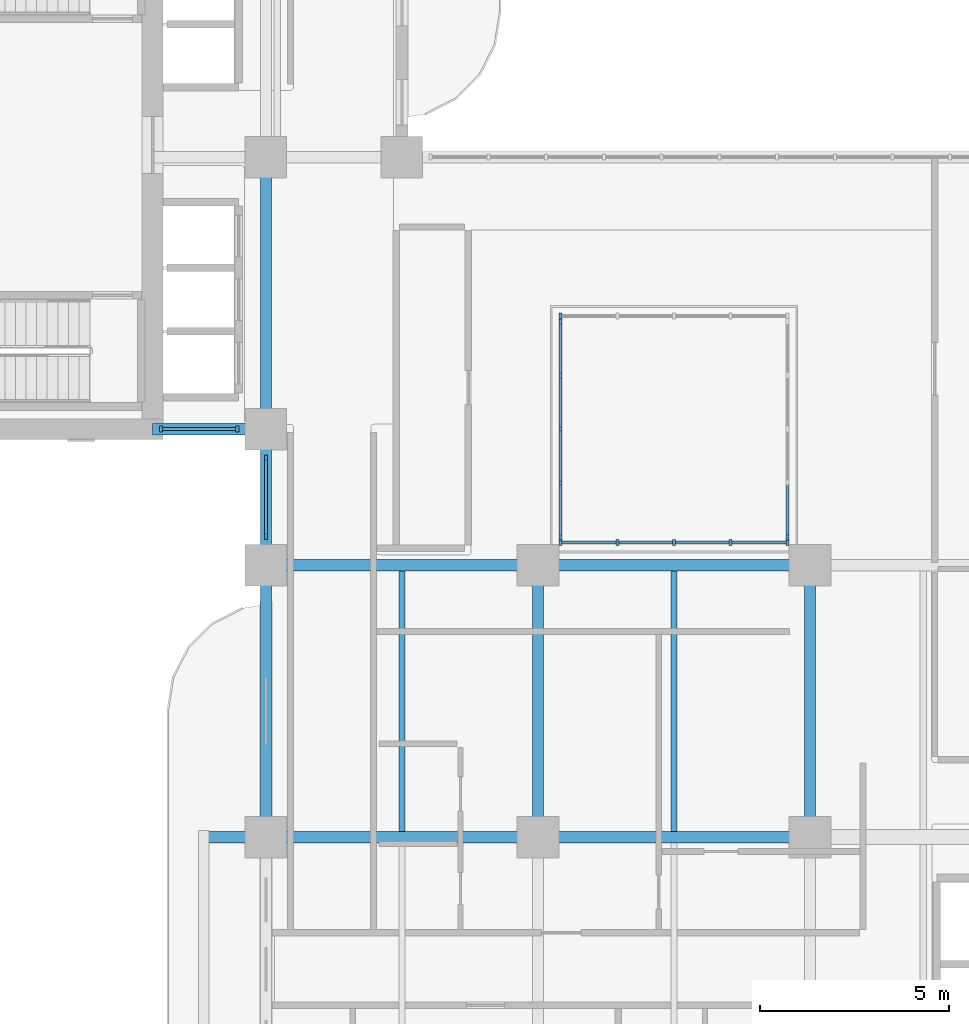
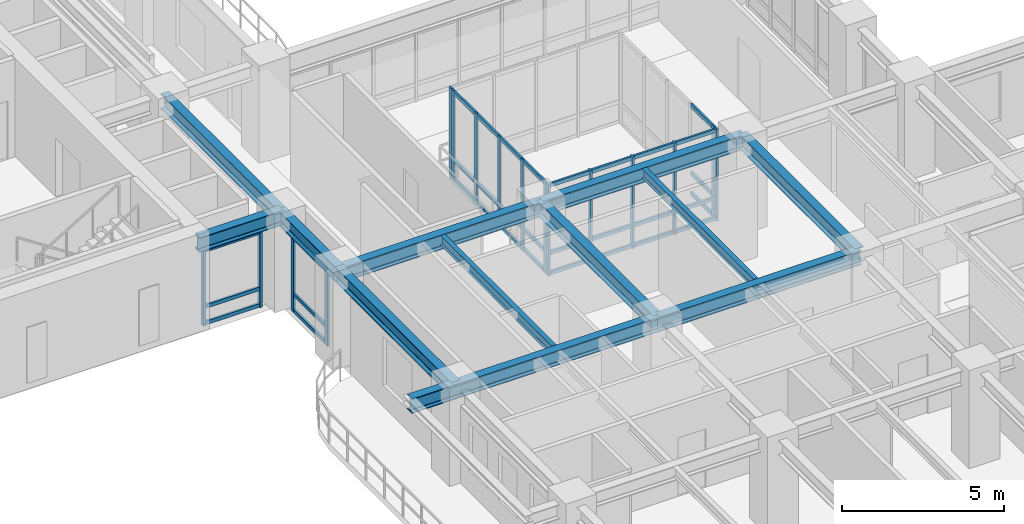
# One storey, part 2 of 22: 49 members, 12 beams, 6 elements without a shape of their own.
"""IFC4 building model written with IfcOpenShell, lengths in metres."""

from ifc_helpers import new_model, si_unit, derived_unit, direction, frame, origin, origin_2d, place, context, subcontext, project, spatial, rectangle, i_section, extrude, source, transform, mapped, material, layer, layer_set, material_profile, profile_set, type_object, type_shapes, element, aggregate, save


model = new_model("IFC4")

# Units and contexts
model_context = context("Model", 3, precision=1e-05, world=origin(), true_north=direction((0.0, 1.0)))
body_context = subcontext(model_context, "Body", "Model", "MODEL_VIEW")
ifc_project = project(units=[si_unit("LENGTHUNIT", "METRE"), si_unit("AREAUNIT", "SQUARE_METRE"), si_unit("VOLUMEUNIT", "CUBIC_METRE"), si_unit("PLANEANGLEUNIT", "RADIAN"), si_unit("MASSUNIT", "GRAM", prefix="KILO"), si_unit("THERMODYNAMICTEMPERATUREUNIT", "KELVIN"), si_unit("POWERUNIT", "WATT"), derived_unit("THERMALTRANSMITTANCEUNIT", [(si_unit("POWERUNIT", "WATT"), 1), (si_unit("AREAUNIT", "SQUARE_METRE"), -1), (si_unit("THERMODYNAMICTEMPERATUREUNIT", "KELVIN"), -1)])], contexts=[model_context])

# Site, building, storey
site_placement = place(None, origin())
site = spatial("IfcSite", under=ifc_project, at=site_placement, CompositionType="ELEMENT")
building_placement = place(site_placement, origin())
building = spatial("IfcBuilding", under=site, at=building_placement, Name="Zahravan Archway Hotel and Residences", CompositionType="ELEMENT")
storey_placement = place(building_placement, frame((0.0, 0.0, 84.199951171875)))
storey = spatial("IfcBuildingStorey", under=building, at=storey_placement, Name="L20", CompositionType="ELEMENT", Elevation=84.199951171875)

# Beams
ifc_material_1 = material(Name="Structural Steel S355JR", Category="steel")
ifc_material_profile_1 = material_profile(ifc_material_1, i_section(OverallWidth=0.300048828125, OverallDepth=0.550048828125, WebThickness=0.014892578125, FlangeThickness=0.029052734375, FilletRadius=0.027099609375, at=origin_2d()), Name="HEB 550", Category="steel")
ifc_profile_set_1 = profile_set([ifc_material_profile_1], Name="Structural Steel S355JR")
beam_type_1 = type_object("IfcBeamType", Name="BM-PRI-HEB550", PredefinedType="BEAM", material=ifc_profile_set_1)
shared_shape_1 = source(origin(), body_context, "Body", "SweptSolid", [
    extrude(i_section(OverallWidth=0.300048828125, OverallDepth=0.550048828125, WebThickness=0.014892578125, FlangeThickness=0.029052734375, FilletRadius=0.027099609375, at=origin_2d()), origin(), (0.0, 0.0, 1.0), 7.2001953125),
])
type_shapes(beam_type_1, [shared_shape_1])
for number, where, z_axis, x_axis, name in (
    (1, (14.39990234375, 21.60009765625, 3.175048828125), (1.0, 0.0, 0.0), (0.0, 1.0, 0.0), "L20 Primary Girder EW-14"),
    (2, (14.39990234375, 14.39990234375, 3.175048828125), (0.0, 1.0, 0.0), (-1.0, 0.0, 0.0), "L20 Primary Girder NS-34"),
    (3, (21.60009765625, 14.39990234375, 3.175048828125), (0.0, 1.0, 0.0), (-1.0, 0.0, 0.0), "L20 Primary Girder NS-41"),
    (4, (28.800048828125, 14.39990234375, 3.175048828125), (0.0, 1.0, 0.0), (-1.0, 0.0, 0.0), "L20 Primary Girder NS-44"),
):
    element("IfcBeam", number, at=place(storey_placement, frame(where, z_axis=z_axis, x_axis=x_axis)), inside=storey, type_object=beam_type_1, Name=name, PredefinedType="BEAM", context=body_context, shape_type="MappedRepresentation", body=[
        mapped(shared_shape_1, transform((0.0, 0.0, 0.0), scale=1.0)),
    ])
shared_shape_2 = source(origin(), body_context, "Body", "SweptSolid", [
    extrude(i_section(OverallWidth=0.300048828125, OverallDepth=0.550048828125, WebThickness=0.014892578125, FlangeThickness=0.029052734375, FilletRadius=0.027099609375, at=origin_2d()), origin(), (0.0, 0.0, 1.0), 7.199951171875),
])
for number, where, z_axis, x_axis, name in (
    (5, (21.60009765625, 14.39990234375, 3.175048828125), (1.0, 0.0, 0.0), (0.0, 1.0, 0.0), "L20 Primary Girder EW-12"),
    (6, (21.60009765625, 21.60009765625, 3.175048828125), (1.0, 0.0, 0.0), (0.0, 1.0, 0.0), "L20 Primary Girder EW-15"),
    (7, (14.39990234375, 25.199951171875, 3.175048828125), (0.0, 1.0, 0.0), (-1.0, 0.0, 0.0), "L20 Primary Girder NS-36"),
):
    element("IfcBeam", number, at=place(storey_placement, frame(where, z_axis=z_axis, x_axis=x_axis)), inside=storey, type_object=beam_type_1, Name=name, PredefinedType="BEAM", context=body_context, shape_type="MappedRepresentation", body=[
        mapped(shared_shape_2, transform((0.0, 0.0, 0.0), scale=1.0)),
    ])
shared_shape_3 = source(origin(), body_context, "Body", "SweptSolid", [
    extrude(i_section(OverallWidth=0.300048828125, OverallDepth=0.550048828125, WebThickness=0.014892578125, FlangeThickness=0.029052734375, FilletRadius=0.027099609375, at=origin_2d()), origin(), (0.0, 0.0, 1.0), 8.85009765625),
])
beam_1_placement = place(storey_placement, frame((12.75, 14.39990234375, 3.175048828125), z_axis=(1.0, 0.0, 0.0), x_axis=(0.0, 1.0, 0.0)))
element("IfcBeam", 8, at=beam_1_placement, inside=storey, type_object=beam_type_1, Name="L20 Primary Girder EW-11", PredefinedType="BEAM", context=body_context, shape_type="MappedRepresentation", body=[
    mapped(shared_shape_3, transform((0.0, 0.0, 0.0), scale=1.0)),
])
shared_shape_4 = source(origin(), body_context, "Body", "SweptSolid", [
    extrude(i_section(OverallWidth=0.300048828125, OverallDepth=0.550048828125, WebThickness=0.014892578125, FlangeThickness=0.029052734375, FilletRadius=0.027099609375, at=origin_2d()), origin(), (0.0, 0.0, 1.0), 3.0),
])
beam_2_placement = place(storey_placement, frame((11.39990234375, 25.199951171875, 3.175048828125), z_axis=(1.0, 0.0, 0.0), x_axis=(0.0, 1.0, 0.0)))
element("IfcBeam", 9, at=beam_2_placement, inside=storey, type_object=beam_type_1, Name="L20 Primary Girder EW-20", PredefinedType="BEAM", context=body_context, shape_type="MappedRepresentation", body=[
    mapped(shared_shape_4, transform((0.0, 0.0, 0.0), scale=1.0)),
])
shared_shape_5 = source(origin(), body_context, "Body", "SweptSolid", [
    extrude(i_section(OverallWidth=0.300048828125, OverallDepth=0.550048828125, WebThickness=0.014892578125, FlangeThickness=0.029052734375, FilletRadius=0.027099609375, at=origin_2d()), origin(), (0.0, 0.0, 1.0), 3.599853515625),
])
beam_3_placement = place(storey_placement, frame((14.39990234375, 21.60009765625, 3.175048828125), z_axis=(0.0, 1.0, 0.0), x_axis=(-1.0, 0.0, 0.0)))
element("IfcBeam", 10, at=beam_3_placement, inside=storey, type_object=beam_type_1, Name="L20 Primary Girder NS-35", PredefinedType="BEAM", context=body_context, shape_type="MappedRepresentation", body=[
    mapped(shared_shape_5, transform((0.0, 0.0, 0.0), scale=1.0)),
])
ifc_material_profile_2 = material_profile(ifc_material_1, i_section(OverallWidth=0.169921875, OverallDepth=0.360107421875, WebThickness=0.008056640625, FlangeThickness=0.0126953125, FilletRadius=0.01806640625, at=origin_2d()), Name="IPE 360", Category="steel")
ifc_profile_set_2 = profile_set([ifc_material_profile_2], Name="Structural Steel S355JR")
beam_type_2 = type_object("IfcBeamType", Name="BM-JST-IPE360", PredefinedType="JOIST", material=ifc_profile_set_2)
shared_shape_6 = source(origin(), body_context, "Body", "SweptSolid", [
    extrude(i_section(OverallWidth=0.169921875, OverallDepth=0.360107421875, WebThickness=0.008056640625, FlangeThickness=0.0126953125, FilletRadius=0.01806640625, at=origin_2d()), origin(), (0.0, 0.0, 1.0), 6.90380859375),
])
for number, where, z_axis, x_axis, name in (
    (11, (18.0, 14.548095703125, 3.27001953125), (0.0, 1.0, 0.0), (-1.0, 0.0, 0.0), "L20 Composite Floor Joist 10"),
    (12, (25.199951171875, 14.548095703125, 3.27001953125), (0.0, 1.0, 0.0), (-1.0, 0.0, 0.0), "L20 Composite Floor Joist 11"),
):
    element("IfcBeam", number, at=place(storey_placement, frame(where, z_axis=z_axis, x_axis=x_axis)), inside=storey, type_object=beam_type_2, Name=name, PredefinedType="JOIST", context=body_context, shape_type="MappedRepresentation", body=[
        mapped(shared_shape_6, transform((0.0, 0.0, 0.0), scale=1.0)),
    ])

# Curtain wall, members
ifc_material_2 = material(Name="Bronze-Anodized Unitised Aluminium & Low-E Glass", Category="aluminium")
ifc_layer_1 = layer(ifc_material_2, 0.179931640625, Name="Bronze-Anodized Unitised Aluminium & Low-E Glass", Category="aluminium")
ifc_layer_set_1 = layer_set([ifc_layer_1], Name="Bronze-Anodized Unitised Aluminium & Low-E Glass")
curtain_wall_type_1 = type_object("IfcCurtainWallType", Name="CW-TWR-FEAT", PredefinedType="NOTDEFINED", material=ifc_layer_set_1)
curtain_wall_1_placement = place(storey_placement, origin())
curtain_wall_1 = element("IfcCurtainWall", 13, at=curtain_wall_1_placement, inside=storey, type_object=curtain_wall_type_1, Name="L20 Curtain Wall CW-L20-WA-WLU-1", PredefinedType="NOTDEFINED")
ifc_material_3 = material(Name="Bronze-Anodized Extruded Aluminium", Category="aluminium")
ifc_material_profile_3 = material_profile(ifc_material_3, rectangle(XDim=0.080078125, YDim=0.159912109375, at=origin_2d()), Name="MUL 80x160", Category="aluminium")
ifc_profile_set_3 = profile_set([ifc_material_profile_3], Name="Bronze-Anodized Extruded Aluminium")
member_type_1 = type_object("IfcMemberType", Name="CWM-MUL-160", PredefinedType="MULLION", material=ifc_profile_set_3)
shared_shape_7 = source(origin(), body_context, "Body", "SweptSolid", [
    extrude(rectangle(XDim=0.080078125, YDim=0.159912109375, at=origin_2d()), origin(), (0.0, 0.0, 1.0), 2.885009765625),
])
member_1_placement = place(storey_placement, frame((14.39990234375, 22.360107421875, 0.0), z_axis=(0.0, 0.0, 1.0), x_axis=(1.0, 0.0, 0.0)))
member_1 = element("IfcMember", 14, at=member_1_placement, type_object=member_type_1, Name="CW-L20-WA-WLU-1 Mullion 0", PredefinedType="MULLION", context=body_context, shape_type="MappedRepresentation", body=[
    mapped(shared_shape_7, transform((0.0, 0.0, 0.0), scale=1.0)),
])
member_2_placement = place(storey_placement, frame((14.39990234375, 24.43994140625, 0.0), z_axis=(0.0, 0.0, 1.0), x_axis=(1.0, 0.0, 0.0)))
member_2 = element("IfcMember", 15, at=member_2_placement, type_object=member_type_1, Name="CW-L20-WA-WLU-1 Mullion 1", PredefinedType="MULLION", context=body_context, shape_type="MappedRepresentation", body=[
    mapped(shared_shape_7, transform((0.0, 0.0, 0.0), scale=1.0)),
])

curtain_wall_2_placement = place(storey_placement, origin())
curtain_wall_2 = element("IfcCurtainWall", 16, at=curtain_wall_2_placement, inside=storey, type_object=curtain_wall_type_1, Name="L20 Curtain Wall CW-L20-WB-SE-1", PredefinedType="NOTDEFINED")
member_3_placement = place(storey_placement, frame((11.6201171875, 25.199951171875, 0.0), z_axis=(0.0, 0.0, 1.0), x_axis=(1.0, 0.0, 0.0)))
member_3 = element("IfcMember", 17, at=member_3_placement, type_object=member_type_1, Name="CW-L20-WB-SE-1 Mullion 0", PredefinedType="MULLION", context=body_context, shape_type="MappedRepresentation", body=[
    mapped(shared_shape_7, transform((0.0, 0.0, 0.0), scale=1.0)),
])
member_4_placement = place(storey_placement, frame((13.639892578125, 25.199951171875, 0.0), z_axis=(0.0, 0.0, 1.0), x_axis=(1.0, 0.0, 0.0)))
member_4 = element("IfcMember", 18, at=member_4_placement, type_object=member_type_1, Name="CW-L20-WB-SE-1 Mullion 1", PredefinedType="MULLION", context=body_context, shape_type="MappedRepresentation", body=[
    mapped(shared_shape_7, transform((0.0, 0.0, 0.0), scale=1.0)),
])
ifc_material_profile_4 = material_profile(ifc_material_3, rectangle(XDim=0.080078125, YDim=0.139892578125, at=origin_2d()), Name="TRN 80x140", Category="aluminium")
ifc_profile_set_4 = profile_set([ifc_material_profile_4], Name="Bronze-Anodized Extruded Aluminium")
member_type_2 = type_object("IfcMemberType", Name="CWM-TRN-140", PredefinedType="USERDEFINED", material=ifc_profile_set_4)
shared_shape_8 = source(origin(), body_context, "Body", "SweptSolid", [
    extrude(rectangle(XDim=0.080078125, YDim=0.139892578125, at=origin_2d()), origin(), (0.0, 0.0, 1.0), 1.940185546875),
])
member_5_placement = place(storey_placement, frame((11.659912109375, 25.199951171875, 0.070068359375), z_axis=(1.0, 0.0, 0.0), x_axis=(0.0, 1.0, 0.0)))
member_5 = element("IfcMember", 19, at=member_5_placement, type_object=member_type_2, Name="CW-L20-WB-SE-1 Transom 0-1", ObjectType="TRANSOM", PredefinedType="USERDEFINED", context=body_context, shape_type="MappedRepresentation", body=[
    mapped(shared_shape_8, transform((0.0, 0.0, 0.0), scale=1.0)),
])
member_6_placement = place(storey_placement, frame((11.659912109375, 25.199951171875, 0.6923828125), z_axis=(1.0, 0.0, 0.0), x_axis=(0.0, 1.0, 0.0)))
member_6 = element("IfcMember", 20, at=member_6_placement, type_object=member_type_2, Name="CW-L20-WB-SE-1 Transom 0-2", ObjectType="TRANSOM", PredefinedType="USERDEFINED", context=body_context, shape_type="MappedRepresentation", body=[
    mapped(shared_shape_8, transform((0.0, 0.0, 0.0), scale=1.0)),
])
member_7_placement = place(storey_placement, frame((11.659912109375, 25.199951171875, 2.81494140625), z_axis=(1.0, 0.0, 0.0), x_axis=(0.0, 1.0, 0.0)))
member_7 = element("IfcMember", 21, at=member_7_placement, type_object=member_type_2, Name="CW-L20-WB-SE-1 Transom 0-3", ObjectType="TRANSOM", PredefinedType="USERDEFINED", context=body_context, shape_type="MappedRepresentation", body=[
    mapped(shared_shape_8, transform((0.0, 0.0, 0.0), scale=1.0)),
])
aggregate(curtain_wall_2, [member_3, member_4, member_5, member_6, member_7])

# Member
shared_shape_9 = source(origin(), body_context, "Body", "SweptSolid", [
    extrude(rectangle(XDim=0.080078125, YDim=0.139892578125, at=origin_2d()), origin(), (0.0, 0.0, 1.0), 2.0),
])
member_8_placement = place(storey_placement, frame((14.39990234375, 22.39990234375, 0.070068359375), z_axis=(0.0, 1.0, 0.0), x_axis=(-1.0, 0.0, 0.0)))
member_8 = element("IfcMember", 22, at=member_8_placement, type_object=member_type_2, Name="CW-L20-WA-WLU-1 Transom 0-1", ObjectType="TRANSOM", PredefinedType="USERDEFINED", context=body_context, shape_type="MappedRepresentation", body=[
    mapped(shared_shape_9, transform((0.0, 0.0, 0.0), scale=1.0)),
])

member_9_placement = place(storey_placement, frame((14.39990234375, 22.39990234375, 0.6923828125), z_axis=(0.0, 1.0, 0.0), x_axis=(-1.0, 0.0, 0.0)))
member_9 = element("IfcMember", 23, at=member_9_placement, type_object=member_type_2, Name="CW-L20-WA-WLU-1 Transom 0-2", ObjectType="TRANSOM", PredefinedType="USERDEFINED", context=body_context, shape_type="MappedRepresentation", body=[
    mapped(shared_shape_9, transform((0.0, 0.0, 0.0), scale=1.0)),
])

member_10_placement = place(storey_placement, frame((14.39990234375, 22.39990234375, 2.81494140625), z_axis=(0.0, 1.0, 0.0), x_axis=(-1.0, 0.0, 0.0)))
member_10 = element("IfcMember", 24, at=member_10_placement, type_object=member_type_2, Name="CW-L20-WA-WLU-1 Transom 0-3", ObjectType="TRANSOM", PredefinedType="USERDEFINED", context=body_context, shape_type="MappedRepresentation", body=[
    mapped(shared_shape_9, transform((0.0, 0.0, 0.0), scale=1.0)),
])

aggregate(curtain_wall_1, [member_1, member_2, member_8, member_9, member_10])

# Curtain wall, members
ifc_layer_2 = layer(ifc_material_2, 0.179931640625, Name="Bronze-Anodized Unitised Aluminium & Low-E Glass", Category="aluminium")
ifc_layer_set_2 = layer_set([ifc_layer_2], Name="Bronze-Anodized Unitised Aluminium & Low-E Glass")
curtain_wall_type_2 = type_object("IfcCurtainWallType", Name="CW-ATR-GLAZ", PredefinedType="NOTDEFINED", material=ifc_layer_set_2)
curtain_wall_3_placement = place(storey_placement, origin())
curtain_wall_3 = element("IfcCurtainWall", 25, at=curtain_wall_3_placement, inside=storey, type_object=curtain_wall_type_2, Name="L20 Curtain Wall CW-ATR-L20-S-1", PredefinedType="NOTDEFINED")
shared_shape_10 = source(origin(), body_context, "Body", "SweptSolid", [
    extrude(rectangle(XDim=0.080078125, YDim=0.159912109375, at=origin_2d()), origin(), (0.0, 0.0, 1.0), 3.449951171875),
])
member_11_placement = place(storey_placement, frame((22.199951171875, 22.199951171875, 0.0), z_axis=(0.0, 0.0, 1.0), x_axis=(1.0, 0.0, 0.0)))
member_11 = element("IfcMember", 26, at=member_11_placement, type_object=member_type_1, Name="CW-ATR-L20-S-1 Mullion 0", PredefinedType="MULLION", context=body_context, shape_type="MappedRepresentation", body=[
    mapped(shared_shape_10, transform((0.0, 0.0, 0.0), scale=1.0)),
])
member_12_placement = place(storey_placement, frame((23.699951171875, 22.199951171875, 0.0), z_axis=(0.0, 0.0, 1.0), x_axis=(1.0, 0.0, 0.0)))
member_12 = element("IfcMember", 27, at=member_12_placement, type_object=member_type_1, Name="CW-ATR-L20-S-1 Mullion 1", PredefinedType="MULLION", context=body_context, shape_type="MappedRepresentation", body=[
    mapped(shared_shape_10, transform((0.0, 0.0, 0.0), scale=1.0)),
])
member_13_placement = place(storey_placement, frame((25.199951171875, 22.199951171875, 0.0), z_axis=(0.0, 0.0, 1.0), x_axis=(1.0, 0.0, 0.0)))
member_13 = element("IfcMember", 28, at=member_13_placement, type_object=member_type_1, Name="CW-ATR-L20-S-1 Mullion 2", PredefinedType="MULLION", context=body_context, shape_type="MappedRepresentation", body=[
    mapped(shared_shape_10, transform((0.0, 0.0, 0.0), scale=1.0)),
])
member_14_placement = place(storey_placement, frame((26.699951171875, 22.199951171875, 0.0), z_axis=(0.0, 0.0, 1.0), x_axis=(1.0, 0.0, 0.0)))
member_14 = element("IfcMember", 29, at=member_14_placement, type_object=member_type_1, Name="CW-ATR-L20-S-1 Mullion 3", PredefinedType="MULLION", context=body_context, shape_type="MappedRepresentation", body=[
    mapped(shared_shape_10, transform((0.0, 0.0, 0.0), scale=1.0)),
])
member_15_placement = place(storey_placement, frame((28.199951171875, 22.199951171875, 0.0), z_axis=(0.0, 0.0, 1.0), x_axis=(1.0, 0.0, 0.0)))
member_15 = element("IfcMember", 30, at=member_15_placement, type_object=member_type_1, Name="CW-ATR-L20-S-1 Mullion 4", PredefinedType="MULLION", context=body_context, shape_type="MappedRepresentation", body=[
    mapped(shared_shape_10, transform((0.0, 0.0, 0.0), scale=1.0)),
])

# Curtain wall, member
curtain_wall_4_placement = place(storey_placement, origin())
curtain_wall_4 = element("IfcCurtainWall", 31, at=curtain_wall_4_placement, inside=storey, type_object=curtain_wall_type_2, Name="L20 Curtain Wall CW-ATR-L20-N-1", PredefinedType="NOTDEFINED")
member_16_placement = place(storey_placement, frame((22.199951171875, 28.199951171875, 0.0), z_axis=(0.0, 0.0, 1.0), x_axis=(1.0, 0.0, 0.0)))
member_16 = element("IfcMember", 32, at=member_16_placement, type_object=member_type_1, Name="CW-ATR-L20-N-1 Mullion 0", PredefinedType="MULLION", context=body_context, shape_type="MappedRepresentation", body=[
    mapped(shared_shape_10, transform((0.0, 0.0, 0.0), scale=1.0)),
])
aggregate(curtain_wall_4, [member_16])

# Curtain wall, members
curtain_wall_5_placement = place(storey_placement, origin())
curtain_wall_5 = element("IfcCurtainWall", 33, at=curtain_wall_5_placement, inside=storey, type_object=curtain_wall_type_2, Name="L20 Curtain Wall CW-ATR-L20-W-1", PredefinedType="NOTDEFINED")
member_17_placement = place(storey_placement, frame((22.199951171875, 22.35009765625, 0.0), z_axis=(0.0, 0.0, 1.0), x_axis=(1.0, 0.0, 0.0)))
member_17 = element("IfcMember", 34, at=member_17_placement, type_object=member_type_1, Name="CW-ATR-L20-W-1 Mullion 0", PredefinedType="MULLION", context=body_context, shape_type="MappedRepresentation", body=[
    mapped(shared_shape_10, transform((0.0, 0.0, 0.0), scale=1.0)),
])
member_18_placement = place(storey_placement, frame((22.199951171875, 23.77490234375, 0.0), z_axis=(0.0, 0.0, 1.0), x_axis=(1.0, 0.0, 0.0)))
member_18 = element("IfcMember", 35, at=member_18_placement, type_object=member_type_1, Name="CW-ATR-L20-W-1 Mullion 1", PredefinedType="MULLION", context=body_context, shape_type="MappedRepresentation", body=[
    mapped(shared_shape_10, transform((0.0, 0.0, 0.0), scale=1.0)),
])
member_19_placement = place(storey_placement, frame((22.199951171875, 25.199951171875, 0.0), z_axis=(0.0, 0.0, 1.0), x_axis=(1.0, 0.0, 0.0)))
member_19 = element("IfcMember", 36, at=member_19_placement, type_object=member_type_1, Name="CW-ATR-L20-W-1 Mullion 2", PredefinedType="MULLION", context=body_context, shape_type="MappedRepresentation", body=[
    mapped(shared_shape_10, transform((0.0, 0.0, 0.0), scale=1.0)),
])
member_20_placement = place(storey_placement, frame((22.199951171875, 26.625, 0.0), z_axis=(0.0, 0.0, 1.0), x_axis=(1.0, 0.0, 0.0)))
member_20 = element("IfcMember", 37, at=member_20_placement, type_object=member_type_1, Name="CW-ATR-L20-W-1 Mullion 3", PredefinedType="MULLION", context=body_context, shape_type="MappedRepresentation", body=[
    mapped(shared_shape_10, transform((0.0, 0.0, 0.0), scale=1.0)),
])
member_21_placement = place(storey_placement, frame((22.199951171875, 28.050048828125, 0.0), z_axis=(0.0, 0.0, 1.0), x_axis=(1.0, 0.0, 0.0)))
member_21 = element("IfcMember", 38, at=member_21_placement, type_object=member_type_1, Name="CW-ATR-L20-W-1 Mullion 4", PredefinedType="MULLION", context=body_context, shape_type="MappedRepresentation", body=[
    mapped(shared_shape_10, transform((0.0, 0.0, 0.0), scale=1.0)),
])

# Curtain wall, member
curtain_wall_6_placement = place(storey_placement, origin())
curtain_wall_6 = element("IfcCurtainWall", 39, at=curtain_wall_6_placement, inside=storey, type_object=curtain_wall_type_2, Name="L20 Curtain Wall CW-ATR-L20-E-1", PredefinedType="NOTDEFINED")
member_22_placement = place(storey_placement, frame((28.199951171875, 22.35009765625, 0.0), z_axis=(0.0, 0.0, 1.0), x_axis=(1.0, 0.0, 0.0)))
member_22 = element("IfcMember", 40, at=member_22_placement, type_object=member_type_1, Name="CW-ATR-L20-E-1 Mullion 0", PredefinedType="MULLION", context=body_context, shape_type="MappedRepresentation", body=[
    mapped(shared_shape_10, transform((0.0, 0.0, 0.0), scale=1.0)),
])

# Member
shared_shape_11 = source(origin(), body_context, "Body", "SweptSolid", [
    extrude(rectangle(XDim=0.080078125, YDim=0.139892578125, at=origin_2d()), origin(), (0.0, 0.0, 1.0), 1.419921875),
])
member_23_placement = place(storey_placement, frame((22.239990234375, 22.199951171875, 0.070068359375), z_axis=(1.0, 0.0, 0.0), x_axis=(0.0, 1.0, 0.0)))
member_23 = element("IfcMember", 41, at=member_23_placement, type_object=member_type_2, Name="CW-ATR-L20-S-1 Transom 0-1", ObjectType="TRANSOM", PredefinedType="USERDEFINED", context=body_context, shape_type="MappedRepresentation", body=[
    mapped(shared_shape_11, transform((0.0, 0.0, 0.0), scale=1.0)),
])

member_24_placement = place(storey_placement, frame((22.239990234375, 22.199951171875, 0.828125), z_axis=(1.0, 0.0, 0.0), x_axis=(0.0, 1.0, 0.0)))
member_24 = element("IfcMember", 42, at=member_24_placement, type_object=member_type_2, Name="CW-ATR-L20-S-1 Transom 0-2", ObjectType="TRANSOM", PredefinedType="USERDEFINED", context=body_context, shape_type="MappedRepresentation", body=[
    mapped(shared_shape_11, transform((0.0, 0.0, 0.0), scale=1.0)),
])

member_25_placement = place(storey_placement, frame((22.239990234375, 22.199951171875, 3.380126953125), z_axis=(1.0, 0.0, 0.0), x_axis=(0.0, 1.0, 0.0)))
member_25 = element("IfcMember", 43, at=member_25_placement, type_object=member_type_2, Name="CW-ATR-L20-S-1 Transom 0-3", ObjectType="TRANSOM", PredefinedType="USERDEFINED", context=body_context, shape_type="MappedRepresentation", body=[
    mapped(shared_shape_11, transform((0.0, 0.0, 0.0), scale=1.0)),
])

member_26_placement = place(storey_placement, frame((23.739990234375, 22.199951171875, 0.070068359375), z_axis=(1.0, 0.0, 0.0), x_axis=(0.0, 1.0, 0.0)))
member_26 = element("IfcMember", 44, at=member_26_placement, type_object=member_type_2, Name="CW-ATR-L20-S-1 Transom 1-1", ObjectType="TRANSOM", PredefinedType="USERDEFINED", context=body_context, shape_type="MappedRepresentation", body=[
    mapped(shared_shape_11, transform((0.0, 0.0, 0.0), scale=1.0)),
])

member_27_placement = place(storey_placement, frame((23.739990234375, 22.199951171875, 0.828125), z_axis=(1.0, 0.0, 0.0), x_axis=(0.0, 1.0, 0.0)))
member_27 = element("IfcMember", 45, at=member_27_placement, type_object=member_type_2, Name="CW-ATR-L20-S-1 Transom 1-2", ObjectType="TRANSOM", PredefinedType="USERDEFINED", context=body_context, shape_type="MappedRepresentation", body=[
    mapped(shared_shape_11, transform((0.0, 0.0, 0.0), scale=1.0)),
])

member_28_placement = place(storey_placement, frame((23.739990234375, 22.199951171875, 3.380126953125), z_axis=(1.0, 0.0, 0.0), x_axis=(0.0, 1.0, 0.0)))
member_28 = element("IfcMember", 46, at=member_28_placement, type_object=member_type_2, Name="CW-ATR-L20-S-1 Transom 1-3", ObjectType="TRANSOM", PredefinedType="USERDEFINED", context=body_context, shape_type="MappedRepresentation", body=[
    mapped(shared_shape_11, transform((0.0, 0.0, 0.0), scale=1.0)),
])

member_29_placement = place(storey_placement, frame((25.239990234375, 22.199951171875, 0.070068359375), z_axis=(1.0, 0.0, 0.0), x_axis=(0.0, 1.0, 0.0)))
member_29 = element("IfcMember", 47, at=member_29_placement, type_object=member_type_2, Name="CW-ATR-L20-S-1 Transom 2-1", ObjectType="TRANSOM", PredefinedType="USERDEFINED", context=body_context, shape_type="MappedRepresentation", body=[
    mapped(shared_shape_11, transform((0.0, 0.0, 0.0), scale=1.0)),
])

member_30_placement = place(storey_placement, frame((25.239990234375, 22.199951171875, 0.828125), z_axis=(1.0, 0.0, 0.0), x_axis=(0.0, 1.0, 0.0)))
member_30 = element("IfcMember", 48, at=member_30_placement, type_object=member_type_2, Name="CW-ATR-L20-S-1 Transom 2-2", ObjectType="TRANSOM", PredefinedType="USERDEFINED", context=body_context, shape_type="MappedRepresentation", body=[
    mapped(shared_shape_11, transform((0.0, 0.0, 0.0), scale=1.0)),
])

member_31_placement = place(storey_placement, frame((25.239990234375, 22.199951171875, 3.380126953125), z_axis=(1.0, 0.0, 0.0), x_axis=(0.0, 1.0, 0.0)))
member_31 = element("IfcMember", 49, at=member_31_placement, type_object=member_type_2, Name="CW-ATR-L20-S-1 Transom 2-3", ObjectType="TRANSOM", PredefinedType="USERDEFINED", context=body_context, shape_type="MappedRepresentation", body=[
    mapped(shared_shape_11, transform((0.0, 0.0, 0.0), scale=1.0)),
])

member_32_placement = place(storey_placement, frame((26.739990234375, 22.199951171875, 0.070068359375), z_axis=(1.0, 0.0, 0.0), x_axis=(0.0, 1.0, 0.0)))
member_32 = element("IfcMember", 50, at=member_32_placement, type_object=member_type_2, Name="CW-ATR-L20-S-1 Transom 3-1", ObjectType="TRANSOM", PredefinedType="USERDEFINED", context=body_context, shape_type="MappedRepresentation", body=[
    mapped(shared_shape_11, transform((0.0, 0.0, 0.0), scale=1.0)),
])

member_33_placement = place(storey_placement, frame((26.739990234375, 22.199951171875, 0.828125), z_axis=(1.0, 0.0, 0.0), x_axis=(0.0, 1.0, 0.0)))
member_33 = element("IfcMember", 51, at=member_33_placement, type_object=member_type_2, Name="CW-ATR-L20-S-1 Transom 3-2", ObjectType="TRANSOM", PredefinedType="USERDEFINED", context=body_context, shape_type="MappedRepresentation", body=[
    mapped(shared_shape_11, transform((0.0, 0.0, 0.0), scale=1.0)),
])

member_34_placement = place(storey_placement, frame((26.739990234375, 22.199951171875, 3.380126953125), z_axis=(1.0, 0.0, 0.0), x_axis=(0.0, 1.0, 0.0)))
member_34 = element("IfcMember", 52, at=member_34_placement, type_object=member_type_2, Name="CW-ATR-L20-S-1 Transom 3-3", ObjectType="TRANSOM", PredefinedType="USERDEFINED", context=body_context, shape_type="MappedRepresentation", body=[
    mapped(shared_shape_11, transform((0.0, 0.0, 0.0), scale=1.0)),
])

aggregate(curtain_wall_3, [member_11, member_12, member_13, member_14, member_15, member_23, member_24, member_25, member_26, member_27, member_28, member_29, member_30, member_31, member_32, member_33, member_34])

shared_shape_12 = source(origin(), body_context, "Body", "SweptSolid", [
    extrude(rectangle(XDim=0.080078125, YDim=0.139892578125, at=origin_2d()), origin(), (0.0, 0.0, 1.0), 1.34521484375),
])
member_35_placement = place(storey_placement, frame((22.199951171875, 22.389892578125, 0.070068359375), z_axis=(0.0, 1.0, 0.0), x_axis=(-1.0, 0.0, 0.0)))
member_35 = element("IfcMember", 53, at=member_35_placement, type_object=member_type_2, Name="CW-ATR-L20-W-1 Transom 0-1", ObjectType="TRANSOM", PredefinedType="USERDEFINED", context=body_context, shape_type="MappedRepresentation", body=[
    mapped(shared_shape_12, transform((0.0, 0.0, 0.0), scale=1.0)),
])

member_36_placement = place(storey_placement, frame((22.199951171875, 22.389892578125, 0.828125), z_axis=(0.0, 1.0, 0.0), x_axis=(-1.0, 0.0, 0.0)))
member_36 = element("IfcMember", 54, at=member_36_placement, type_object=member_type_2, Name="CW-ATR-L20-W-1 Transom 0-2", ObjectType="TRANSOM", PredefinedType="USERDEFINED", context=body_context, shape_type="MappedRepresentation", body=[
    mapped(shared_shape_12, transform((0.0, 0.0, 0.0), scale=1.0)),
])

member_37_placement = place(storey_placement, frame((22.199951171875, 22.389892578125, 3.380126953125), z_axis=(0.0, 1.0, 0.0), x_axis=(-1.0, 0.0, 0.0)))
member_37 = element("IfcMember", 55, at=member_37_placement, type_object=member_type_2, Name="CW-ATR-L20-W-1 Transom 0-3", ObjectType="TRANSOM", PredefinedType="USERDEFINED", context=body_context, shape_type="MappedRepresentation", body=[
    mapped(shared_shape_12, transform((0.0, 0.0, 0.0), scale=1.0)),
])

member_38_placement = place(storey_placement, frame((28.199951171875, 22.389892578125, 0.070068359375), z_axis=(0.0, 1.0, 0.0), x_axis=(-1.0, 0.0, 0.0)))
member_38 = element("IfcMember", 56, at=member_38_placement, type_object=member_type_2, Name="CW-ATR-L20-E-1 Transom 0-1", ObjectType="TRANSOM", PredefinedType="USERDEFINED", context=body_context, shape_type="MappedRepresentation", body=[
    mapped(shared_shape_12, transform((0.0, 0.0, 0.0), scale=1.0)),
])

member_39_placement = place(storey_placement, frame((28.199951171875, 22.389892578125, 0.828125), z_axis=(0.0, 1.0, 0.0), x_axis=(-1.0, 0.0, 0.0)))
member_39 = element("IfcMember", 57, at=member_39_placement, type_object=member_type_2, Name="CW-ATR-L20-E-1 Transom 0-2", ObjectType="TRANSOM", PredefinedType="USERDEFINED", context=body_context, shape_type="MappedRepresentation", body=[
    mapped(shared_shape_12, transform((0.0, 0.0, 0.0), scale=1.0)),
])

member_40_placement = place(storey_placement, frame((28.199951171875, 22.389892578125, 3.380126953125), z_axis=(0.0, 1.0, 0.0), x_axis=(-1.0, 0.0, 0.0)))
member_40 = element("IfcMember", 58, at=member_40_placement, type_object=member_type_2, Name="CW-ATR-L20-E-1 Transom 0-3", ObjectType="TRANSOM", PredefinedType="USERDEFINED", context=body_context, shape_type="MappedRepresentation", body=[
    mapped(shared_shape_12, transform((0.0, 0.0, 0.0), scale=1.0)),
])

aggregate(curtain_wall_6, [member_22, member_38, member_39, member_40])

shared_shape_13 = source(origin(), body_context, "Body", "SweptSolid", [
    extrude(rectangle(XDim=0.080078125, YDim=0.139892578125, at=origin_2d()), origin(), (0.0, 0.0, 1.0), 1.344970703125),
])
member_41_placement = place(storey_placement, frame((22.199951171875, 23.81494140625, 0.070068359375), z_axis=(0.0, 1.0, 0.0), x_axis=(-1.0, 0.0, 0.0)))
member_41 = element("IfcMember", 59, at=member_41_placement, type_object=member_type_2, Name="CW-ATR-L20-W-1 Transom 1-1", ObjectType="TRANSOM", PredefinedType="USERDEFINED", context=body_context, shape_type="MappedRepresentation", body=[
    mapped(shared_shape_13, transform((0.0, 0.0, 0.0), scale=1.0)),
])

member_42_placement = place(storey_placement, frame((22.199951171875, 23.81494140625, 0.828125), z_axis=(0.0, 1.0, 0.0), x_axis=(-1.0, 0.0, 0.0)))
member_42 = element("IfcMember", 60, at=member_42_placement, type_object=member_type_2, Name="CW-ATR-L20-W-1 Transom 1-2", ObjectType="TRANSOM", PredefinedType="USERDEFINED", context=body_context, shape_type="MappedRepresentation", body=[
    mapped(shared_shape_13, transform((0.0, 0.0, 0.0), scale=1.0)),
])

member_43_placement = place(storey_placement, frame((22.199951171875, 23.81494140625, 3.380126953125), z_axis=(0.0, 1.0, 0.0), x_axis=(-1.0, 0.0, 0.0)))
member_43 = element("IfcMember", 61, at=member_43_placement, type_object=member_type_2, Name="CW-ATR-L20-W-1 Transom 1-3", ObjectType="TRANSOM", PredefinedType="USERDEFINED", context=body_context, shape_type="MappedRepresentation", body=[
    mapped(shared_shape_13, transform((0.0, 0.0, 0.0), scale=1.0)),
])

member_44_placement = place(storey_placement, frame((22.199951171875, 25.239990234375, 0.070068359375), z_axis=(0.0, 1.0, 0.0), x_axis=(-1.0, 0.0, 0.0)))
member_44 = element("IfcMember", 62, at=member_44_placement, type_object=member_type_2, Name="CW-ATR-L20-W-1 Transom 2-1", ObjectType="TRANSOM", PredefinedType="USERDEFINED", context=body_context, shape_type="MappedRepresentation", body=[
    mapped(shared_shape_13, transform((0.0, 0.0, 0.0), scale=1.0)),
])

member_45_placement = place(storey_placement, frame((22.199951171875, 25.239990234375, 0.828125), z_axis=(0.0, 1.0, 0.0), x_axis=(-1.0, 0.0, 0.0)))
member_45 = element("IfcMember", 63, at=member_45_placement, type_object=member_type_2, Name="CW-ATR-L20-W-1 Transom 2-2", ObjectType="TRANSOM", PredefinedType="USERDEFINED", context=body_context, shape_type="MappedRepresentation", body=[
    mapped(shared_shape_13, transform((0.0, 0.0, 0.0), scale=1.0)),
])

member_46_placement = place(storey_placement, frame((22.199951171875, 25.239990234375, 3.380126953125), z_axis=(0.0, 1.0, 0.0), x_axis=(-1.0, 0.0, 0.0)))
member_46 = element("IfcMember", 64, at=member_46_placement, type_object=member_type_2, Name="CW-ATR-L20-W-1 Transom 2-3", ObjectType="TRANSOM", PredefinedType="USERDEFINED", context=body_context, shape_type="MappedRepresentation", body=[
    mapped(shared_shape_13, transform((0.0, 0.0, 0.0), scale=1.0)),
])

member_47_placement = place(storey_placement, frame((22.199951171875, 26.6650390625, 0.070068359375), z_axis=(0.0, 1.0, 0.0), x_axis=(-1.0, 0.0, 0.0)))
member_47 = element("IfcMember", 65, at=member_47_placement, type_object=member_type_2, Name="CW-ATR-L20-W-1 Transom 3-1", ObjectType="TRANSOM", PredefinedType="USERDEFINED", context=body_context, shape_type="MappedRepresentation", body=[
    mapped(shared_shape_13, transform((0.0, 0.0, 0.0), scale=1.0)),
])

member_48_placement = place(storey_placement, frame((22.199951171875, 26.6650390625, 0.828125), z_axis=(0.0, 1.0, 0.0), x_axis=(-1.0, 0.0, 0.0)))
member_48 = element("IfcMember", 66, at=member_48_placement, type_object=member_type_2, Name="CW-ATR-L20-W-1 Transom 3-2", ObjectType="TRANSOM", PredefinedType="USERDEFINED", context=body_context, shape_type="MappedRepresentation", body=[
    mapped(shared_shape_13, transform((0.0, 0.0, 0.0), scale=1.0)),
])

member_49_placement = place(storey_placement, frame((22.199951171875, 26.6650390625, 3.380126953125), z_axis=(0.0, 1.0, 0.0), x_axis=(-1.0, 0.0, 0.0)))
member_49 = element("IfcMember", 67, at=member_49_placement, type_object=member_type_2, Name="CW-ATR-L20-W-1 Transom 3-3", ObjectType="TRANSOM", PredefinedType="USERDEFINED", context=body_context, shape_type="MappedRepresentation", body=[
    mapped(shared_shape_13, transform((0.0, 0.0, 0.0), scale=1.0)),
])

aggregate(curtain_wall_5, [member_17, member_18, member_19, member_20, member_21, member_35, member_36, member_37, member_41, member_42, member_43, member_44, member_45, member_46, member_47, member_48, member_49])

save(model, "model.ifc")
